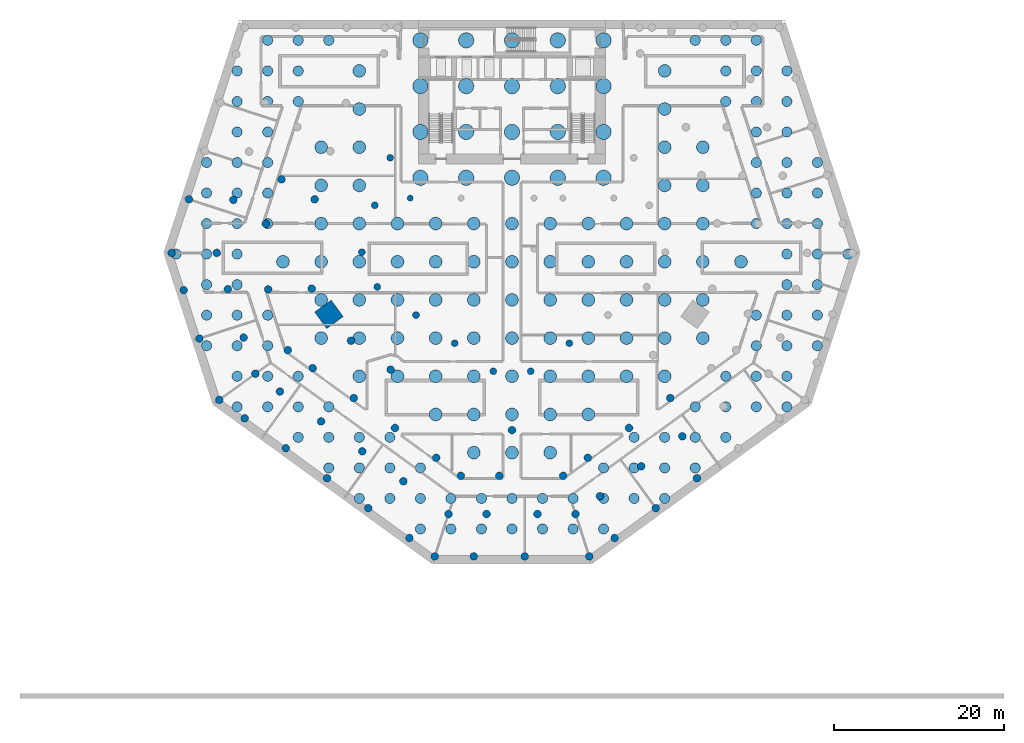
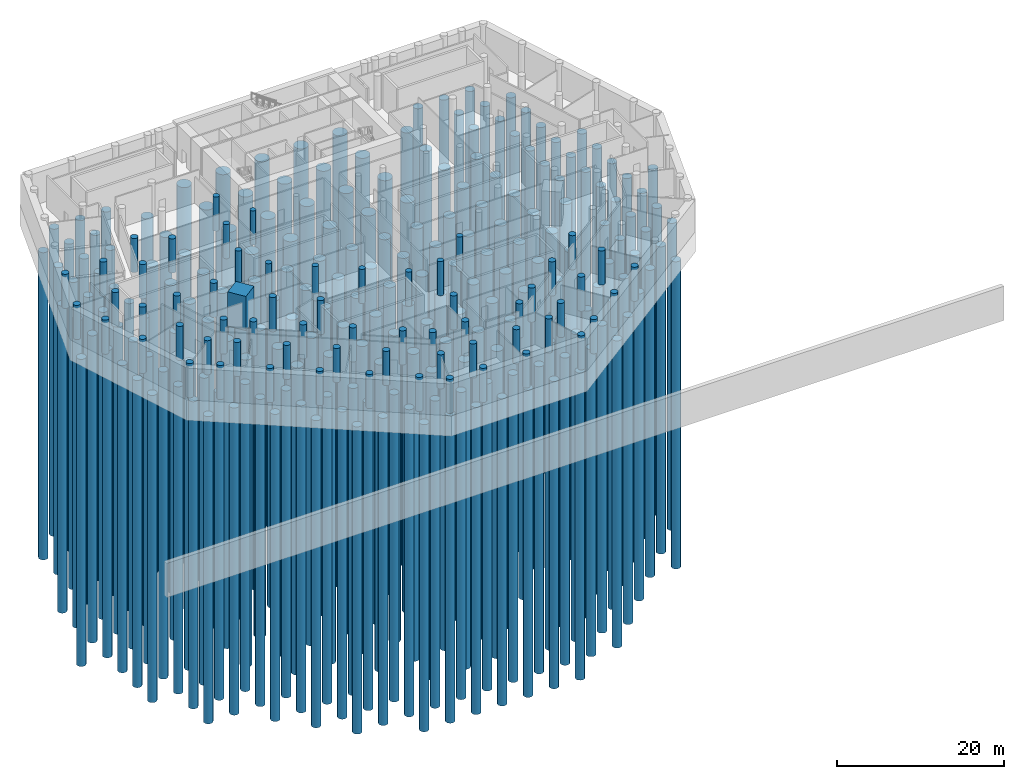
# One storey, part 1 of 12: 205 piles, 63 columns.
"""IFC4 building model written with IfcOpenShell, lengths in metres."""

from ifc_helpers import new_model, si_unit, direction, frame, origin, origin_2d, place, context, subcontext, project, spatial, rectangle, circle, extrude, material, material_profile, profile_set, type_object, element, save


model = new_model("IFC4")

# Units and contexts
model_context = context("Model", 3, precision=1e-05, world=origin(), true_north=direction((0.0, 1.0)))
body_context = subcontext(model_context, "Body", "Model", "MODEL_VIEW")
ifc_project = project(units=[si_unit("LENGTHUNIT", "METRE"), si_unit("AREAUNIT", "SQUARE_METRE"), si_unit("VOLUMEUNIT", "CUBIC_METRE"), si_unit("PLANEANGLEUNIT", "RADIAN"), si_unit("MASSUNIT", "GRAM", prefix="KILO")], contexts=[model_context])

# Site, building, storey
site_placement = place(None, origin())
site = spatial("IfcSite", under=ifc_project, at=site_placement, CompositionType="ELEMENT")
building_placement = place(site_placement, origin())
building = spatial("IfcBuilding", under=site, at=building_placement, Name="White Candle Pilgrim Tower", CompositionType="ELEMENT")
storey_placement = place(building_placement, frame((0.0, 0.0, -10.0)))
storey = spatial("IfcBuildingStorey", under=building, at=storey_placement, Name="B2", CompositionType="ELEMENT", Elevation=-10.0)

# Piles
ifc_material_1 = material(Name="Concrete C40/50", Category="concrete")
ifc_material_profile_1 = material_profile(ifc_material_1, circle(Radius=0.60009765625, at=origin_2d()), Name="PILE D1200")
ifc_profile_set_1 = profile_set([ifc_material_profile_1], Name="Concrete C40/50")
pile_type_1 = type_object("IfcPileType", Name="Bored pile PILE D1200 C40/50", PredefinedType="BORED", material=ifc_profile_set_1)
for number, where, z_axis, x_axis, name in (
    (1, (30.39990234375, 60.39990234375, -2.89990234375), (0.0, 0.0, -1.0), (1.0, 0.0, 0.0), "Bored pile 096"),
    (2, (34.0, 49.60009765625, -2.89990234375), (0.0, 0.0, -1.0), (1.0, 0.0, 0.0), "Bored pile 097"),
    (3, (34.0, 53.199951171875, -2.89990234375), (0.0, 0.0, -1.0), (1.0, 0.0, 0.0), "Bored pile 098"),
    (4, (34.0, 56.800048828125, -2.89990234375), (0.0, 0.0, -1.0), (1.0, 0.0, 0.0), "Bored pile 099"),
    (5, (34.0, 60.39990234375, -2.89990234375), (0.0, 0.0, -1.0), (1.0, 0.0, 0.0), "Bored pile 100"),
    (6, (34.0, 64.0, -2.89990234375), (0.0, 0.0, -1.0), (1.0, 0.0, 0.0), "Bored pile 101"),
    (7, (34.0, 67.60009765625, -2.89990234375), (0.0, 0.0, -1.0), (1.0, 0.0, 0.0), "Bored pile 102"),
    (8, (34.0, 71.199951171875, -2.89990234375), (0.0, 0.0, -1.0), (1.0, 0.0, 0.0), "Bored pile 103"),
    (9, (37.60009765625, 42.39990234375, -2.89990234375), (0.0, 0.0, -1.0), (1.0, 0.0, 0.0), "Bored pile 104"),
    (10, (37.60009765625, 46.0, -2.89990234375), (0.0, 0.0, -1.0), (1.0, 0.0, 0.0), "Bored pile 105"),
    (11, (37.60009765625, 49.60009765625, -2.89990234375), (0.0, 0.0, -1.0), (1.0, 0.0, 0.0), "Bored pile 106"),
    (12, (37.60009765625, 53.199951171875, -2.89990234375), (0.0, 0.0, -1.0), (1.0, 0.0, 0.0), "Bored pile 107"),
    (13, (37.60009765625, 56.800048828125, -2.89990234375), (0.0, 0.0, -1.0), (1.0, 0.0, 0.0), "Bored pile 108"),
    (14, (37.60009765625, 60.39990234375, -2.89990234375), (0.0, 0.0, -1.0), (1.0, 0.0, 0.0), "Bored pile 109"),
    (15, (37.60009765625, 64.0, -2.89990234375), (0.0, 0.0, -1.0), (1.0, 0.0, 0.0), "Bored pile 110"),
    (16, (37.60009765625, 67.60009765625, -2.89990234375), (0.0, 0.0, -1.0), (1.0, 0.0, 0.0), "Bored pile 111"),
    (17, (37.60009765625, 71.199951171875, -2.89990234375), (0.0, 0.0, -1.0), (1.0, 0.0, 0.0), "Bored pile 112"),
    (18, (37.60009765625, 74.800048828125, -2.89990234375), (0.0, 0.0, -1.0), (1.0, 0.0, 0.0), "Bored pile 113"),
    (19, (37.60009765625, 78.39990234375, -2.89990234375), (0.0, 0.0, -1.0), (1.0, 0.0, 0.0), "Bored pile 114"),
    (20, (37.60009765625, 82.0, -2.89990234375), (0.0, 0.0, -1.0), (1.0, 0.0, 0.0), "Bored pile 115"),
    (21, (41.199951171875, 42.39990234375, -2.89990234375), (0.0, 0.0, -1.0), (1.0, 0.0, 0.0), "Bored pile 116"),
    (22, (41.199951171875, 46.0, -2.89990234375), (0.0, 0.0, -1.0), (1.0, 0.0, 0.0), "Bored pile 117"),
    (23, (41.199951171875, 49.60009765625, -2.89990234375), (0.0, 0.0, -1.0), (1.0, 0.0, 0.0), "Bored pile 118"),
    (24, (41.199951171875, 53.199951171875, -2.89990234375), (0.0, 0.0, -1.0), (1.0, 0.0, 0.0), "Bored pile 119"),
    (25, (41.199951171875, 64.0, -2.89990234375), (0.0, 0.0, -1.0), (1.0, 0.0, 0.0), "Bored pile 120"),
    (26, (41.199951171875, 67.60009765625, -2.89990234375), (0.0, 0.0, -1.0), (1.0, 0.0, 0.0), "Bored pile 121"),
    (27, (41.199951171875, 71.199951171875, -2.89990234375), (0.0, 0.0, -1.0), (1.0, 0.0, 0.0), "Bored pile 122"),
    (28, (41.199951171875, 74.800048828125, -2.89990234375), (0.0, 0.0, -1.0), (1.0, 0.0, 0.0), "Bored pile 123"),
    (29, (41.199951171875, 78.39990234375, -2.89990234375), (0.0, 0.0, -1.0), (1.0, 0.0, 0.0), "Bored pile 124"),
    (30, (41.199951171875, 82.0, -2.89990234375), (0.0, 0.0, -1.0), (1.0, 0.0, 0.0), "Bored pile 125"),
    (31, (41.199951171875, 85.60009765625, -2.89990234375), (0.0, 0.0, -1.0), (1.0, 0.0, 0.0), "Bored pile 126"),
    (32, (44.800048828125, 38.800048828125, -2.89990234375), (0.0, 0.0, -1.0), (1.0, 0.0, 0.0), "Bored pile 127"),
    (33, (44.800048828125, 42.39990234375, -2.89990234375), (0.0, 0.0, -1.0), (1.0, 0.0, 0.0), "Bored pile 128"),
    (34, (44.800048828125, 46.0, -2.89990234375), (0.0, 0.0, -1.0), (1.0, 0.0, 0.0), "Bored pile 129"),
    (35, (44.800048828125, 78.39990234375, -2.89990234375), (0.0, 0.0, -1.0), (1.0, 0.0, 0.0), "Bored pile 130"),
    (36, (44.800048828125, 82.0, -2.89990234375), (0.0, 0.0, -1.0), (1.0, 0.0, 0.0), "Bored pile 131"),
    (37, (44.800048828125, 85.60009765625, -2.89990234375), (0.0, 0.0, -1.0), (1.0, 0.0, 0.0), "Bored pile 132"),
    (38, (48.39990234375, 35.199951171875, -2.89990234375), (0.0, 0.0, -1.0), (1.0, 0.0, 0.0), "Bored pile 133"),
    (39, (48.39990234375, 38.800048828125, -2.89990234375), (0.0, 0.0, -1.0), (1.0, 0.0, 0.0), "Bored pile 134"),
    (40, (48.39990234375, 42.39990234375, -2.89990234375), (0.0, 0.0, -1.0), (1.0, 0.0, 0.0), "Bored pile 135"),
    (41, (48.39990234375, 85.60009765625, -2.89990234375), (0.0, 0.0, -1.0), (1.0, 0.0, 0.0), "Bored pile 136"),
    (42, (52.0, 31.60009765625, -2.89990234375), (0.0, 0.0, -1.0), (1.0, 0.0, 0.0), "Bored pile 137"),
    (43, (52.0, 35.199951171875, -2.89990234375), (0.0, 0.0, -1.0), (1.0, 0.0, 0.0), "Bored pile 138"),
    (44, (52.0, 38.800048828125, -2.89990234375), (0.0, 0.0, -1.0), (1.0, 0.0, 0.0), "Bored pile 139"),
    (45, (55.60009765625, 31.60009765625, -2.89990234375), (0.0, 0.0, -1.0), (1.0, 0.0, 0.0), "Bored pile 140"),
    (46, (55.60009765625, 35.199951171875, -2.89990234375), (0.0, 0.0, -1.0), (1.0, 0.0, 0.0), "Bored pile 141"),
    (47, (55.60009765625, 38.800048828125, -2.89990234375), (0.0, 0.0, -1.0), (1.0, 0.0, 0.0), "Bored pile 142"),
    (48, (59.199951171875, 28.0, -2.89990234375), (0.0, 0.0, -1.0), (1.0, 0.0, 0.0), "Bored pile 143"),
    (49, (59.199951171875, 31.60009765625, -2.89990234375), (0.0, 0.0, -1.0), (1.0, 0.0, 0.0), "Bored pile 144"),
    (50, (59.199951171875, 35.199951171875, -2.89990234375), (0.0, 0.0, -1.0), (1.0, 0.0, 0.0), "Bored pile 145"),
    (51, (62.800048828125, 28.0, -2.89990234375), (0.0, 0.0, -1.0), (1.0, 0.0, 0.0), "Bored pile 146"),
    (52, (62.800048828125, 31.60009765625, -2.89990234375), (0.0, 0.0, -1.0), (1.0, 0.0, 0.0), "Bored pile 147"),
    (53, (66.39990234375, 28.0, -2.89990234375), (0.0, 0.0, -1.0), (1.0, 0.0, 0.0), "Bored pile 148"),
    (54, (66.39990234375, 31.60009765625, -2.89990234375), (0.0, 0.0, -1.0), (1.0, 0.0, 0.0), "Bored pile 149"),
    (55, (70.0, 28.0, -2.89990234375), (0.0, 0.0, -1.0), (1.0, 0.0, 0.0), "Bored pile 150"),
    (56, (70.0, 31.60009765625, -2.89990234375), (0.0, 0.0, -1.0), (1.0, 0.0, 0.0), "Bored pile 151"),
    (57, (73.60009765625, 28.0, -2.89990234375), (0.0, 0.0, -1.0), (1.0, 0.0, 0.0), "Bored pile 152"),
    (58, (73.60009765625, 31.60009765625, -2.89990234375), (0.0, 0.0, -1.0), (1.0, 0.0, 0.0), "Bored pile 153"),
    (59, (77.199951171875, 28.0, -2.89990234375), (0.0, 0.0, -1.0), (1.0, 0.0, 0.0), "Bored pile 154"),
    (60, (77.199951171875, 31.60009765625, -2.89990234375), (0.0, 0.0, -1.0), (1.0, 0.0, 0.0), "Bored pile 155"),
    (61, (80.800048828125, 28.0, -2.89990234375), (0.0, 0.0, -1.0), (1.0, 0.0, 0.0), "Bored pile 156"),
    (62, (80.800048828125, 31.60009765625, -2.89990234375), (0.0, 0.0, -1.0), (1.0, 0.0, 0.0), "Bored pile 157"),
    (63, (80.800048828125, 35.199951171875, -2.89990234375), (0.0, 0.0, -1.0), (1.0, 0.0, 0.0), "Bored pile 158"),
    (64, (84.39990234375, 31.60009765625, -2.89990234375), (0.0, 0.0, -1.0), (1.0, 0.0, 0.0), "Bored pile 159"),
    (65, (84.39990234375, 35.199951171875, -2.89990234375), (0.0, 0.0, -1.0), (1.0, 0.0, 0.0), "Bored pile 160"),
    (66, (84.39990234375, 38.800048828125, -2.89990234375), (0.0, 0.0, -1.0), (1.0, 0.0, 0.0), "Bored pile 161"),
    (67, (88.0, 31.60009765625, -2.89990234375), (0.0, 0.0, -1.0), (1.0, 0.0, 0.0), "Bored pile 162"),
    (68, (88.0, 35.199951171875, -2.89990234375), (0.0, 0.0, -1.0), (1.0, 0.0, 0.0), "Bored pile 163"),
    (69, (88.0, 38.800048828125, -2.89990234375), (0.0, 0.0, -1.0), (1.0, 0.0, 0.0), "Bored pile 164"),
    (70, (91.60009765625, 35.199951171875, -2.89990234375), (0.0, 0.0, -1.0), (1.0, 0.0, 0.0), "Bored pile 165"),
    (71, (91.60009765625, 38.800048828125, -2.89990234375), (0.0, 0.0, -1.0), (1.0, 0.0, 0.0), "Bored pile 166"),
    (72, (91.60009765625, 42.39990234375, -2.89990234375), (0.0, 0.0, -1.0), (1.0, 0.0, 0.0), "Bored pile 167"),
    (73, (91.60009765625, 85.60009765625, -2.89990234375), (0.0, 0.0, -1.0), (1.0, 0.0, 0.0), "Bored pile 168"),
    (74, (95.199951171875, 38.800048828125, -2.89990234375), (0.0, 0.0, -1.0), (1.0, 0.0, 0.0), "Bored pile 169"),
    (75, (95.199951171875, 42.39990234375, -2.89990234375), (0.0, 0.0, -1.0), (1.0, 0.0, 0.0), "Bored pile 170"),
    (76, (95.199951171875, 46.0, -2.89990234375), (0.0, 0.0, -1.0), (1.0, 0.0, 0.0), "Bored pile 171"),
    (77, (95.199951171875, 78.39990234375, -2.89990234375), (0.0, 0.0, -1.0), (1.0, 0.0, 0.0), "Bored pile 172"),
    (78, (95.199951171875, 82.0, -2.89990234375), (0.0, 0.0, -1.0), (1.0, 0.0, 0.0), "Bored pile 173"),
    (79, (95.199951171875, 85.60009765625, -2.89990234375), (0.0, 0.0, -1.0), (1.0, 0.0, 0.0), "Bored pile 174"),
    (80, (98.800048828125, 42.39990234375, -2.89990234375), (0.0, 0.0, -1.0), (1.0, 0.0, 0.0), "Bored pile 175"),
    (81, (98.800048828125, 46.0, -2.89990234375), (0.0, 0.0, -1.0), (1.0, 0.0, 0.0), "Bored pile 176"),
    (82, (98.800048828125, 49.60009765625, -2.89990234375), (0.0, 0.0, -1.0), (1.0, 0.0, 0.0), "Bored pile 177"),
    (83, (98.800048828125, 53.199951171875, -2.89990234375), (0.0, 0.0, -1.0), (1.0, 0.0, 0.0), "Bored pile 178"),
    (84, (98.800048828125, 64.0, -2.89990234375), (0.0, 0.0, -1.0), (1.0, 0.0, 0.0), "Bored pile 179"),
    (85, (98.800048828125, 67.60009765625, -2.89990234375), (0.0, 0.0, -1.0), (1.0, 0.0, 0.0), "Bored pile 180"),
    (86, (98.800048828125, 71.199951171875, -2.89990234375), (0.0, 0.0, -1.0), (1.0, 0.0, 0.0), "Bored pile 181"),
    (87, (98.800048828125, 74.800048828125, -2.89990234375), (0.0, 0.0, -1.0), (1.0, 0.0, 0.0), "Bored pile 182"),
    (88, (98.800048828125, 78.39990234375, -2.89990234375), (0.0, 0.0, -1.0), (1.0, 0.0, 0.0), "Bored pile 183"),
    (89, (98.800048828125, 82.0, -2.89990234375), (0.0, 0.0, -1.0), (1.0, 0.0, 0.0), "Bored pile 184"),
    (90, (98.800048828125, 85.60009765625, -2.89990234375), (0.0, 0.0, -1.0), (1.0, 0.0, 0.0), "Bored pile 185"),
    (91, (102.39990234375, 42.39990234375, -2.89990234375), (0.0, 0.0, -1.0), (1.0, 0.0, 0.0), "Bored pile 186"),
    (92, (102.39990234375, 46.0, -2.89990234375), (0.0, 0.0, -1.0), (1.0, 0.0, 0.0), "Bored pile 187"),
    (93, (102.39990234375, 49.60009765625, -2.89990234375), (0.0, 0.0, -1.0), (1.0, 0.0, 0.0), "Bored pile 188"),
    (94, (102.39990234375, 53.199951171875, -2.89990234375), (0.0, 0.0, -1.0), (1.0, 0.0, 0.0), "Bored pile 189"),
    (95, (102.39990234375, 56.800048828125, -2.89990234375), (0.0, 0.0, -1.0), (1.0, 0.0, 0.0), "Bored pile 190"),
    (96, (102.39990234375, 60.39990234375, -2.89990234375), (0.0, 0.0, -1.0), (1.0, 0.0, 0.0), "Bored pile 191"),
    (97, (102.39990234375, 64.0, -2.89990234375), (0.0, 0.0, -1.0), (1.0, 0.0, 0.0), "Bored pile 192"),
    (98, (102.39990234375, 67.60009765625, -2.89990234375), (0.0, 0.0, -1.0), (1.0, 0.0, 0.0), "Bored pile 193"),
    (99, (102.39990234375, 71.199951171875, -2.89990234375), (0.0, 0.0, -1.0), (1.0, 0.0, 0.0), "Bored pile 194"),
    (100, (102.39990234375, 74.800048828125, -2.89990234375), (0.0, 0.0, -1.0), (1.0, 0.0, 0.0), "Bored pile 195"),
    (101, (102.39990234375, 78.39990234375, -2.89990234375), (0.0, 0.0, -1.0), (1.0, 0.0, 0.0), "Bored pile 196"),
    (102, (102.39990234375, 82.0, -2.89990234375), (0.0, 0.0, -1.0), (1.0, 0.0, 0.0), "Bored pile 197"),
    (103, (106.0, 49.60009765625, -2.89990234375), (0.0, 0.0, -1.0), (1.0, 0.0, 0.0), "Bored pile 198"),
    (104, (106.0, 53.199951171875, -2.89990234375), (0.0, 0.0, -1.0), (1.0, 0.0, 0.0), "Bored pile 199"),
    (105, (106.0, 56.800048828125, -2.89990234375), (0.0, 0.0, -1.0), (1.0, 0.0, 0.0), "Bored pile 200"),
    (106, (106.0, 60.39990234375, -2.89990234375), (0.0, 0.0, -1.0), (1.0, 0.0, 0.0), "Bored pile 201"),
    (107, (106.0, 64.0, -2.89990234375), (0.0, 0.0, -1.0), (1.0, 0.0, 0.0), "Bored pile 202"),
    (108, (106.0, 67.60009765625, -2.89990234375), (0.0, 0.0, -1.0), (1.0, 0.0, 0.0), "Bored pile 203"),
    (109, (106.0, 71.199951171875, -2.89990234375), (0.0, 0.0, -1.0), (1.0, 0.0, 0.0), "Bored pile 204"),
    (110, (109.60009765625, 60.39990234375, -2.89990234375), (0.0, 0.0, -1.0), (1.0, 0.0, 0.0), "Bored pile 205"),
):
    element("IfcPile", number, at=place(storey_placement, frame(where, z_axis=z_axis, x_axis=x_axis)), inside=storey, type_object=pile_type_1, Name=name, PredefinedType="BORED", context=body_context, shape_type="SweptSolid", body=[
        extrude(circle(Radius=0.60009765625, at=origin_2d()), origin(), (0.0, 0.0, 1.0), 45.0),
    ])
ifc_material_profile_2 = material_profile(ifc_material_1, circle(Radius=0.75, at=origin_2d()), Name="PILE D1500")
ifc_profile_set_2 = profile_set([ifc_material_profile_2], Name="Concrete C40/50")
pile_type_2 = type_object("IfcPileType", Name="Bored pile PILE D1500 C40/50", PredefinedType="BORED", material=ifc_profile_set_2)
for number, where, z_axis, x_axis, name in (
    (111, (43.0, 59.5, -2.89990234375), (0.0, 0.0, -1.0), (1.0, 0.0, 0.0), "Bored pile 021"),
    (112, (47.5, 50.5, -2.89990234375), (0.0, 0.0, -1.0), (1.0, 0.0, 0.0), "Bored pile 022"),
    (113, (47.5, 55.0, -2.89990234375), (0.0, 0.0, -1.0), (1.0, 0.0, 0.0), "Bored pile 023"),
    (114, (47.5, 59.5, -2.89990234375), (0.0, 0.0, -1.0), (1.0, 0.0, 0.0), "Bored pile 024"),
    (115, (47.5, 64.0, -2.89990234375), (0.0, 0.0, -1.0), (1.0, 0.0, 0.0), "Bored pile 025"),
    (116, (47.5, 68.5, -2.89990234375), (0.0, 0.0, -1.0), (1.0, 0.0, 0.0), "Bored pile 026"),
    (117, (47.5, 73.0, -2.89990234375), (0.0, 0.0, -1.0), (1.0, 0.0, 0.0), "Bored pile 027"),
    (118, (52.0, 46.0, -2.89990234375), (0.0, 0.0, -1.0), (1.0, 0.0, 0.0), "Bored pile 028"),
    (119, (52.0, 50.5, -2.89990234375), (0.0, 0.0, -1.0), (1.0, 0.0, 0.0), "Bored pile 029"),
    (120, (52.0, 55.0, -2.89990234375), (0.0, 0.0, -1.0), (1.0, 0.0, 0.0), "Bored pile 030"),
    (121, (52.0, 59.5, -2.89990234375), (0.0, 0.0, -1.0), (1.0, 0.0, 0.0), "Bored pile 031"),
    (122, (52.0, 64.0, -2.89990234375), (0.0, 0.0, -1.0), (1.0, 0.0, 0.0), "Bored pile 032"),
    (123, (52.0, 68.5, -2.89990234375), (0.0, 0.0, -1.0), (1.0, 0.0, 0.0), "Bored pile 033"),
    (124, (52.0, 73.0, -2.89990234375), (0.0, 0.0, -1.0), (1.0, 0.0, 0.0), "Bored pile 034"),
    (125, (52.0, 77.5, -2.89990234375), (0.0, 0.0, -1.0), (1.0, 0.0, 0.0), "Bored pile 035"),
    (126, (52.0, 82.0, -2.89990234375), (0.0, 0.0, -1.0), (1.0, 0.0, 0.0), "Bored pile 036"),
    (127, (56.5, 46.0, -2.89990234375), (0.0, 0.0, -1.0), (1.0, 0.0, 0.0), "Bored pile 037"),
    (128, (56.5, 50.5, -2.89990234375), (0.0, 0.0, -1.0), (1.0, 0.0, 0.0), "Bored pile 038"),
    (129, (56.5, 55.0, -2.89990234375), (0.0, 0.0, -1.0), (1.0, 0.0, 0.0), "Bored pile 039"),
    (130, (56.5, 59.5, -2.89990234375), (0.0, 0.0, -1.0), (1.0, 0.0, 0.0), "Bored pile 040"),
    (131, (56.5, 64.0, -2.89990234375), (0.0, 0.0, -1.0), (1.0, 0.0, 0.0), "Bored pile 041"),
    (132, (61.0, 41.5, -2.89990234375), (0.0, 0.0, -1.0), (1.0, 0.0, 0.0), "Bored pile 042"),
    (133, (61.0, 46.0, -2.89990234375), (0.0, 0.0, -1.0), (1.0, 0.0, 0.0), "Bored pile 043"),
    (134, (61.0, 50.5, -2.89990234375), (0.0, 0.0, -1.0), (1.0, 0.0, 0.0), "Bored pile 044"),
    (135, (61.0, 55.0, -2.89990234375), (0.0, 0.0, -1.0), (1.0, 0.0, 0.0), "Bored pile 045"),
    (136, (61.0, 59.5, -2.89990234375), (0.0, 0.0, -1.0), (1.0, 0.0, 0.0), "Bored pile 046"),
    (137, (61.0, 64.0, -2.89990234375), (0.0, 0.0, -1.0), (1.0, 0.0, 0.0), "Bored pile 047"),
    (138, (65.5, 37.0, -2.89990234375), (0.0, 0.0, -1.0), (1.0, 0.0, 0.0), "Bored pile 048"),
    (139, (65.5, 41.5, -2.89990234375), (0.0, 0.0, -1.0), (1.0, 0.0, 0.0), "Bored pile 049"),
    (140, (65.5, 46.0, -2.89990234375), (0.0, 0.0, -1.0), (1.0, 0.0, 0.0), "Bored pile 050"),
    (141, (65.5, 50.5, -2.89990234375), (0.0, 0.0, -1.0), (1.0, 0.0, 0.0), "Bored pile 051"),
    (142, (65.5, 55.0, -2.89990234375), (0.0, 0.0, -1.0), (1.0, 0.0, 0.0), "Bored pile 052"),
    (143, (65.5, 59.5, -2.89990234375), (0.0, 0.0, -1.0), (1.0, 0.0, 0.0), "Bored pile 053"),
    (144, (65.5, 64.0, -2.89990234375), (0.0, 0.0, -1.0), (1.0, 0.0, 0.0), "Bored pile 054"),
    (145, (70.0, 37.0, -2.89990234375), (0.0, 0.0, -1.0), (1.0, 0.0, 0.0), "Bored pile 055"),
    (146, (70.0, 41.5, -2.89990234375), (0.0, 0.0, -1.0), (1.0, 0.0, 0.0), "Bored pile 056"),
    (147, (70.0, 46.0, -2.89990234375), (0.0, 0.0, -1.0), (1.0, 0.0, 0.0), "Bored pile 057"),
    (148, (70.0, 50.5, -2.89990234375), (0.0, 0.0, -1.0), (1.0, 0.0, 0.0), "Bored pile 058"),
    (149, (70.0, 55.0, -2.89990234375), (0.0, 0.0, -1.0), (1.0, 0.0, 0.0), "Bored pile 059"),
    (150, (70.0, 59.5, -2.89990234375), (0.0, 0.0, -1.0), (1.0, 0.0, 0.0), "Bored pile 060"),
    (151, (70.0, 64.0, -2.89990234375), (0.0, 0.0, -1.0), (1.0, 0.0, 0.0), "Bored pile 061"),
    (152, (74.5, 37.0, -2.89990234375), (0.0, 0.0, -1.0), (1.0, 0.0, 0.0), "Bored pile 062"),
    (153, (74.5, 41.5, -2.89990234375), (0.0, 0.0, -1.0), (1.0, 0.0, 0.0), "Bored pile 063"),
    (154, (74.5, 46.0, -2.89990234375), (0.0, 0.0, -1.0), (1.0, 0.0, 0.0), "Bored pile 064"),
    (155, (74.5, 50.5, -2.89990234375), (0.0, 0.0, -1.0), (1.0, 0.0, 0.0), "Bored pile 065"),
    (156, (74.5, 55.0, -2.89990234375), (0.0, 0.0, -1.0), (1.0, 0.0, 0.0), "Bored pile 066"),
    (157, (74.5, 59.5, -2.89990234375), (0.0, 0.0, -1.0), (1.0, 0.0, 0.0), "Bored pile 067"),
    (158, (74.5, 64.0, -2.89990234375), (0.0, 0.0, -1.0), (1.0, 0.0, 0.0), "Bored pile 068"),
    (159, (79.0, 41.5, -2.89990234375), (0.0, 0.0, -1.0), (1.0, 0.0, 0.0), "Bored pile 069"),
    (160, (79.0, 46.0, -2.89990234375), (0.0, 0.0, -1.0), (1.0, 0.0, 0.0), "Bored pile 070"),
    (161, (79.0, 50.5, -2.89990234375), (0.0, 0.0, -1.0), (1.0, 0.0, 0.0), "Bored pile 071"),
    (162, (79.0, 55.0, -2.89990234375), (0.0, 0.0, -1.0), (1.0, 0.0, 0.0), "Bored pile 072"),
    (163, (79.0, 59.5, -2.89990234375), (0.0, 0.0, -1.0), (1.0, 0.0, 0.0), "Bored pile 073"),
    (164, (79.0, 64.0, -2.89990234375), (0.0, 0.0, -1.0), (1.0, 0.0, 0.0), "Bored pile 074"),
    (165, (83.5, 46.0, -2.89990234375), (0.0, 0.0, -1.0), (1.0, 0.0, 0.0), "Bored pile 075"),
    (166, (83.5, 50.5, -2.89990234375), (0.0, 0.0, -1.0), (1.0, 0.0, 0.0), "Bored pile 076"),
    (167, (83.5, 55.0, -2.89990234375), (0.0, 0.0, -1.0), (1.0, 0.0, 0.0), "Bored pile 077"),
    (168, (83.5, 59.5, -2.89990234375), (0.0, 0.0, -1.0), (1.0, 0.0, 0.0), "Bored pile 078"),
    (169, (83.5, 64.0, -2.89990234375), (0.0, 0.0, -1.0), (1.0, 0.0, 0.0), "Bored pile 079"),
    (170, (88.0, 46.0, -2.89990234375), (0.0, 0.0, -1.0), (1.0, 0.0, 0.0), "Bored pile 080"),
    (171, (88.0, 50.5, -2.89990234375), (0.0, 0.0, -1.0), (1.0, 0.0, 0.0), "Bored pile 081"),
    (172, (88.0, 55.0, -2.89990234375), (0.0, 0.0, -1.0), (1.0, 0.0, 0.0), "Bored pile 082"),
    (173, (88.0, 59.5, -2.89990234375), (0.0, 0.0, -1.0), (1.0, 0.0, 0.0), "Bored pile 083"),
    (174, (88.0, 64.0, -2.89990234375), (0.0, 0.0, -1.0), (1.0, 0.0, 0.0), "Bored pile 084"),
    (175, (88.0, 68.5, -2.89990234375), (0.0, 0.0, -1.0), (1.0, 0.0, 0.0), "Bored pile 085"),
    (176, (88.0, 73.0, -2.89990234375), (0.0, 0.0, -1.0), (1.0, 0.0, 0.0), "Bored pile 086"),
    (177, (88.0, 77.5, -2.89990234375), (0.0, 0.0, -1.0), (1.0, 0.0, 0.0), "Bored pile 087"),
    (178, (88.0, 82.0, -2.89990234375), (0.0, 0.0, -1.0), (1.0, 0.0, 0.0), "Bored pile 088"),
    (179, (92.5, 50.5, -2.89990234375), (0.0, 0.0, -1.0), (1.0, 0.0, 0.0), "Bored pile 089"),
    (180, (92.5, 55.0, -2.89990234375), (0.0, 0.0, -1.0), (1.0, 0.0, 0.0), "Bored pile 090"),
    (181, (92.5, 59.5, -2.89990234375), (0.0, 0.0, -1.0), (1.0, 0.0, 0.0), "Bored pile 091"),
    (182, (92.5, 64.0, -2.89990234375), (0.0, 0.0, -1.0), (1.0, 0.0, 0.0), "Bored pile 092"),
    (183, (92.5, 68.5, -2.89990234375), (0.0, 0.0, -1.0), (1.0, 0.0, 0.0), "Bored pile 093"),
    (184, (92.5, 73.0, -2.89990234375), (0.0, 0.0, -1.0), (1.0, 0.0, 0.0), "Bored pile 094"),
    (185, (97.0, 59.5, -2.89990234375), (0.0, 0.0, -1.0), (1.0, 0.0, 0.0), "Bored pile 095"),
):
    element("IfcPile", number, at=place(storey_placement, frame(where, z_axis=z_axis, x_axis=x_axis)), inside=storey, type_object=pile_type_2, Name=name, PredefinedType="BORED", context=body_context, shape_type="SweptSolid", body=[
        extrude(circle(Radius=0.75, at=origin_2d()), origin(), (0.0, 0.0, 1.0), 45.0),
    ])
ifc_material_profile_3 = material_profile(ifc_material_1, circle(Radius=0.89990234375, at=origin_2d()), Name="PILE D1800")
ifc_profile_set_3 = profile_set([ifc_material_profile_3], Name="Concrete C40/50")
pile_type_3 = type_object("IfcPileType", Name="Bored pile PILE D1800 C40/50", PredefinedType="BORED", material=ifc_profile_set_3)
for number, where, z_axis, x_axis, name in (
    (186, (59.199951171875, 69.39990234375, -2.89990234375), (0.0, 0.0, -1.0), (1.0, 0.0, 0.0), "Bored pile 001"),
    (187, (59.199951171875, 74.800048828125, -2.89990234375), (0.0, 0.0, -1.0), (1.0, 0.0, 0.0), "Bored pile 002"),
    (188, (59.199951171875, 80.199951171875, -2.89990234375), (0.0, 0.0, -1.0), (1.0, 0.0, 0.0), "Bored pile 003"),
    (189, (59.199951171875, 85.60009765625, -2.89990234375), (0.0, 0.0, -1.0), (1.0, 0.0, 0.0), "Bored pile 004"),
    (190, (64.60009765625, 69.39990234375, -2.89990234375), (0.0, 0.0, -1.0), (1.0, 0.0, 0.0), "Bored pile 005"),
    (191, (64.60009765625, 74.800048828125, -2.89990234375), (0.0, 0.0, -1.0), (1.0, 0.0, 0.0), "Bored pile 006"),
    (192, (64.60009765625, 80.199951171875, -2.89990234375), (0.0, 0.0, -1.0), (1.0, 0.0, 0.0), "Bored pile 007"),
    (193, (64.60009765625, 85.60009765625, -2.89990234375), (0.0, 0.0, -1.0), (1.0, 0.0, 0.0), "Bored pile 008"),
    (194, (70.0, 69.39990234375, -2.89990234375), (0.0, 0.0, -1.0), (1.0, 0.0, 0.0), "Bored pile 009"),
    (195, (70.0, 74.800048828125, -2.89990234375), (0.0, 0.0, -1.0), (1.0, 0.0, 0.0), "Bored pile 010"),
    (196, (70.0, 80.199951171875, -2.89990234375), (0.0, 0.0, -1.0), (1.0, 0.0, 0.0), "Bored pile 011"),
    (197, (70.0, 85.60009765625, -2.89990234375), (0.0, 0.0, -1.0), (1.0, 0.0, 0.0), "Bored pile 012"),
    (198, (75.39990234375, 69.39990234375, -2.89990234375), (0.0, 0.0, -1.0), (1.0, 0.0, 0.0), "Bored pile 013"),
    (199, (75.39990234375, 74.800048828125, -2.89990234375), (0.0, 0.0, -1.0), (1.0, 0.0, 0.0), "Bored pile 014"),
    (200, (75.39990234375, 80.199951171875, -2.89990234375), (0.0, 0.0, -1.0), (1.0, 0.0, 0.0), "Bored pile 015"),
    (201, (75.39990234375, 85.60009765625, -2.89990234375), (0.0, 0.0, -1.0), (1.0, 0.0, 0.0), "Bored pile 016"),
    (202, (80.800048828125, 69.39990234375, -2.89990234375), (0.0, 0.0, -1.0), (1.0, 0.0, 0.0), "Bored pile 017"),
    (203, (80.800048828125, 74.800048828125, -2.89990234375), (0.0, 0.0, -1.0), (1.0, 0.0, 0.0), "Bored pile 018"),
    (204, (80.800048828125, 80.199951171875, -2.89990234375), (0.0, 0.0, -1.0), (1.0, 0.0, 0.0), "Bored pile 019"),
    (205, (80.800048828125, 85.60009765625, -2.89990234375), (0.0, 0.0, -1.0), (1.0, 0.0, 0.0), "Bored pile 020"),
):
    element("IfcPile", number, at=place(storey_placement, frame(where, z_axis=z_axis, x_axis=x_axis)), inside=storey, type_object=pile_type_3, Name=name, PredefinedType="BORED", context=body_context, shape_type="SweptSolid", body=[
        extrude(circle(Radius=0.89990234375, at=origin_2d()), origin(), (0.0, 0.0, 1.0), 45.0),
    ])

# Columns
ifc_material_2 = material(Name="Concrete C80/95", Category="concrete")
ifc_material_profile_4 = material_profile(ifc_material_2, circle(Radius=0.35009765625, at=origin_2d()), Name="RC-COL D700")
ifc_profile_set_4 = profile_set([ifc_material_profile_4], Name="Concrete C80/95")
column_type_1 = type_object("IfcColumnType", Name="Interior column RC-COL D700 C80/95", PredefinedType="COLUMN", material=ifc_profile_set_4)
column_1_placement = place(storey_placement, frame((58.0, 67.0, 0.0), z_axis=(0.0, 0.0, 1.0), x_axis=(1.0, 0.0, 0.0)))
element("IfcColumn", 206, at=column_1_placement, inside=storey, type_object=column_type_1, Name="B2 column I01", PredefinedType="COLUMN", context=body_context, shape_type="SweptSolid", body=[
    extrude(circle(Radius=0.35009765625, at=origin_2d()), origin(), (0.0, 0.0, 1.0), 5.0),
])
ifc_material_profile_5 = material_profile(ifc_material_2, rectangle(XDim=2.39990234375, YDim=2.39990234375, at=origin_2d()), Name="RC 2400x2400")
ifc_profile_set_5 = profile_set([ifc_material_profile_5], Name="Concrete C80/95")
column_type_2 = type_object("IfcColumnType", Name="Mega column RC 2400x2400 C80/95", PredefinedType="COLUMN", material=ifc_profile_set_5)
column_2_placement = place(storey_placement, frame((48.419921875, 53.300048828125, 0.0), z_axis=(0.0, 0.0, 1.0), x_axis=(-0.809016994375, -0.587785252292, 0.0)))
element("IfcColumn", 207, at=column_2_placement, inside=storey, type_object=column_type_2, Name="B2 mega column T02", PredefinedType="COLUMN", context=body_context, shape_type="SweptSolid", body=[
    extrude(rectangle(XDim=2.39990234375, YDim=2.39990234375, at=origin_2d()), origin(), (0.0, 0.0, 1.0), 5.0),
])
ifc_material_profile_6 = material_profile(ifc_material_2, circle(Radius=0.449951171875, at=origin_2d()), Name="RC-COL D900")
ifc_profile_set_6 = profile_set([ifc_material_profile_6], Name="Concrete C80/95")
column_type_3 = type_object("IfcColumnType", Name="Perimeter column RC-COL D900 C80/95", PredefinedType="COLUMN", material=ifc_profile_set_6)
for number, where, z_axis, x_axis, name in (
    (208, (46.389892578125, 56.330078125, 0.0), (0.0, 0.0, 1.0), (1.0, 0.0, 0.0), "B2 column T01"),
    (209, (51.02001953125, 50.18994140625, 0.0), (0.0, 0.0, 1.0), (1.0, 0.0, 0.0), "B2 column T03"),
    (210, (55.699951171875, 46.780029296875, 0.0), (0.0, 0.0, 1.0), (1.0, 0.0, 0.0), "B2 column T04"),
    (211, (70.0, 39.64990234375, 0.0), (0.0, 0.0, 1.0), (1.0, 0.0, 0.0), "B2 column T05"),
    (212, (46.739990234375, 66.860107421875, 0.0), (0.0, 0.0, 1.0), (1.0, 0.0, 0.0), "B2 column T16"),
    (213, (29.865966796875, 60.5390625, 0.0), (0.0, 0.0, 1.0), (1.0, 0.0, 0.0), "B2 column A01"),
    (214, (31.291015625, 56.154052734375, 0.0), (0.0, 0.0, 1.0), (1.0, 0.0, 0.0), "B2 column A02"),
    (215, (33.14501953125, 50.447998046875, 0.0), (0.0, 0.0, 1.0), (1.0, 0.0, 0.0), "B2 column A03"),
    (216, (35.4970703125, 43.2099609375, 0.0), (0.0, 0.0, 1.0), (1.0, 0.0, 0.0), "B2 column A04"),
    (217, (38.485107421875, 41.0390625, 0.0), (0.0, 0.0, 1.0), (1.0, 0.0, 0.0), "B2 column A05"),
    (218, (43.339111328125, 37.511962890625, 0.0), (0.0, 0.0, 1.0), (1.0, 0.0, 0.0), "B2 column A06"),
    (219, (48.193115234375, 33.985107421875, 0.0), (0.0, 0.0, 1.0), (1.0, 0.0, 0.0), "B2 column A07"),
    (220, (53.047119140625, 30.458984375, 0.0), (0.0, 0.0, 1.0), (1.0, 0.0, 0.0), "B2 column A08"),
    (221, (57.90087890625, 26.931884765625, 0.0), (0.0, 0.0, 1.0), (1.0, 0.0, 0.0), "B2 column A09"),
    (222, (60.888916015625, 24.760986328125, 0.0), (0.0, 0.0, 1.0), (1.0, 0.0, 0.0), "B2 column A10"),
    (223, (65.5, 24.760986328125, 0.0), (0.0, 0.0, 1.0), (1.0, 0.0, 0.0), "B2 column A11"),
    (224, (71.5, 24.760986328125, 0.0), (0.0, 0.0, 1.0), (1.0, 0.0, 0.0), "B2 column A12"),
    (225, (79.111083984375, 24.760986328125, 0.0), (0.0, 0.0, 1.0), (1.0, 0.0, 0.0), "B2 column A13"),
    (226, (82.09912109375, 26.931884765625, 0.0), (0.0, 0.0, 1.0), (1.0, 0.0, 0.0), "B2 column A14"),
    (227, (86.952880859375, 30.458984375, 0.0), (0.0, 0.0, 1.0), (1.0, 0.0, 0.0), "B2 column A15"),
    (228, (91.806884765625, 33.985107421875, 0.0), (0.0, 0.0, 1.0), (1.0, 0.0, 0.0), "B2 column A16"),
    (229, (31.919921875, 66.85888671875, 0.0), (0.0, 0.0, 1.0), (1.0, 0.0, 0.0), "B2 column A38"),
    (230, (35.199951171875, 60.5390625, 0.0), (0.0, 0.0, 1.0), (1.0, 0.0, 0.0), "B2 column B01"),
    (231, (36.510009765625, 56.27294921875, 0.0), (0.0, 0.0, 1.0), (1.0, 0.0, 0.0), "B2 column B02"),
    (232, (38.364013671875, 50.56591796875, 0.0), (0.0, 0.0, 1.0), (1.0, 0.0, 0.0), "B2 column B03"),
    (233, (39.75, 46.300048828125, 0.0), (0.0, 0.0, 1.0), (1.0, 0.0, 0.0), "B2 column B04"),
    (234, (42.636962890625, 44.201904296875, 0.0), (0.0, 0.0, 1.0), (1.0, 0.0, 0.0), "B2 column B05"),
    (235, (47.491943359375, 40.676025390625, 0.0), (0.0, 0.0, 1.0), (1.0, 0.0, 0.0), "B2 column B06"),
    (236, (52.345947265625, 37.14892578125, 0.0), (0.0, 0.0, 1.0), (1.0, 0.0, 0.0), "B2 column B07"),
    (237, (57.199951171875, 33.6220703125, 0.0), (0.0, 0.0, 1.0), (1.0, 0.0, 0.0), "B2 column B08"),
    (238, (62.513916015625, 29.760986328125, 0.0), (0.0, 0.0, 1.0), (1.0, 0.0, 0.0), "B2 column B09"),
    (239, (67.0, 29.760986328125, 0.0), (0.0, 0.0, 1.0), (1.0, 0.0, 0.0), "B2 column B10"),
    (240, (73.0, 29.760986328125, 0.0), (0.0, 0.0, 1.0), (1.0, 0.0, 0.0), "B2 column B11"),
    (241, (77.486083984375, 29.760986328125, 0.0), (0.0, 0.0, 1.0), (1.0, 0.0, 0.0), "B2 column B12"),
    (242, (80.373046875, 31.85888671875, 0.0), (0.0, 0.0, 1.0), (1.0, 0.0, 0.0), "B2 column B13"),
    (243, (85.22705078125, 35.385986328125, 0.0), (0.0, 0.0, 1.0), (1.0, 0.0, 0.0), "B2 column B14"),
    (244, (90.0810546875, 38.912109375, 0.0), (0.0, 0.0, 1.0), (1.0, 0.0, 0.0), "B2 column B15"),
    (245, (37.153076171875, 66.787109375, 0.0), (0.0, 0.0, 1.0), (1.0, 0.0, 0.0), "B2 column B35"),
    (246, (41.2529296875, 56.237060546875, 0.0), (0.0, 0.0, 1.0), (1.0, 0.0, 0.0), "B2 column C01"),
    (247, (43.577880859375, 49.0810546875, 0.0), (0.0, 0.0, 1.0), (1.0, 0.0, 0.0), "B2 column C02"),
    (248, (46.49609375, 46.9609375, 0.0), (0.0, 0.0, 1.0), (1.0, 0.0, 0.0), "B2 column C03"),
    (249, (51.35009765625, 43.43408203125, 0.0), (0.0, 0.0, 1.0), (1.0, 0.0, 0.0), "B2 column C04"),
    (250, (56.2041015625, 39.907958984375, 0.0), (0.0, 0.0, 1.0), (1.0, 0.0, 0.0), "B2 column C05"),
    (251, (61.05810546875, 36.381103515625, 0.0), (0.0, 0.0, 1.0), (1.0, 0.0, 0.0), "B2 column C06"),
    (252, (63.97607421875, 34.260986328125, 0.0), (0.0, 0.0, 1.0), (1.0, 0.0, 0.0), "B2 column C07"),
    (253, (68.5, 34.260986328125, 0.0), (0.0, 0.0, 1.0), (1.0, 0.0, 0.0), "B2 column C08"),
    (254, (76.02392578125, 34.260986328125, 0.0), (0.0, 0.0, 1.0), (1.0, 0.0, 0.0), "B2 column C09"),
    (255, (78.94189453125, 36.381103515625, 0.0), (0.0, 0.0, 1.0), (1.0, 0.0, 0.0), "B2 column C10"),
    (256, (83.7958984375, 39.907958984375, 0.0), (0.0, 0.0, 1.0), (1.0, 0.0, 0.0), "B2 column C11"),
    (257, (88.64990234375, 43.43408203125, 0.0), (0.0, 0.0, 1.0), (1.0, 0.0, 0.0), "B2 column C12"),
    (258, (42.823974609375, 69.20703125, 0.0), (0.0, 0.0, 1.0), (1.0, 0.0, 0.0), "B2 column C24"),
    (259, (40.969970703125, 63.968994140625, 0.0), (0.0, 0.0, 1.0), (1.0, 0.0, 0.0), "B2 column C25"),
):
    element("IfcColumn", number, at=place(storey_placement, frame(where, z_axis=z_axis, x_axis=x_axis)), inside=storey, type_object=column_type_3, Name=name, PredefinedType="COLUMN", context=body_context, shape_type="SweptSolid", body=[
        extrude(circle(Radius=0.449951171875, at=origin_2d()), origin(), (0.0, 0.0, 1.0), 5.0),
    ])
ifc_material_profile_7 = material_profile(ifc_material_2, circle(Radius=0.39990234375, at=origin_2d()), Name="RC-COL D800")
ifc_profile_set_7 = profile_set([ifc_material_profile_7], Name="Concrete C80/95")
column_type_4 = type_object("IfcColumnType", Name="Ring column RC-COL D800 C80/95", PredefinedType="COLUMN", material=ifc_profile_set_7)
for number, where, z_axis, x_axis, name in (
    (260, (52.31005859375, 60.6298828125, 0.0), (0.0, 0.0, 1.0), (1.0, 0.0, 0.0), "B2 column R01"),
    (261, (54.1201171875, 56.530029296875, 0.0), (0.0, 0.0, 1.0), (1.0, 0.0, 0.0), "B2 column R02"),
    (262, (58.679931640625, 53.2099609375, 0.0), (0.0, 0.0, 1.0), (1.0, 0.0, 0.0), "B2 column R03"),
    (263, (63.239990234375, 49.89990234375, 0.0), (0.0, 0.0, 1.0), (1.0, 0.0, 0.0), "B2 column R04"),
    (264, (67.800048828125, 46.60009765625, 0.0), (0.0, 0.0, 1.0), (1.0, 0.0, 0.0), "B2 column R05"),
    (265, (72.199951171875, 46.60009765625, 0.0), (0.0, 0.0, 1.0), (1.0, 0.0, 0.0), "B2 column R06"),
    (266, (76.760009765625, 49.89990234375, 0.0), (0.0, 0.0, 1.0), (1.0, 0.0, 0.0), "B2 column R07"),
    (267, (55.639892578125, 71.760009765625, 0.0), (0.0, 0.0, 1.0), (1.0, 0.0, 0.0), "B2 column R13"),
    (268, (53.820068359375, 66.159912109375, 0.0), (0.0, 0.0, 1.0), (1.0, 0.0, 0.0), "B2 column R14"),
):
    element("IfcColumn", number, at=place(storey_placement, frame(where, z_axis=z_axis, x_axis=x_axis)), inside=storey, type_object=column_type_4, Name=name, PredefinedType="COLUMN", context=body_context, shape_type="SweptSolid", body=[
        extrude(circle(Radius=0.39990234375, at=origin_2d()), origin(), (0.0, 0.0, 1.0), 5.0),
    ])

save(model, "model.ifc")
